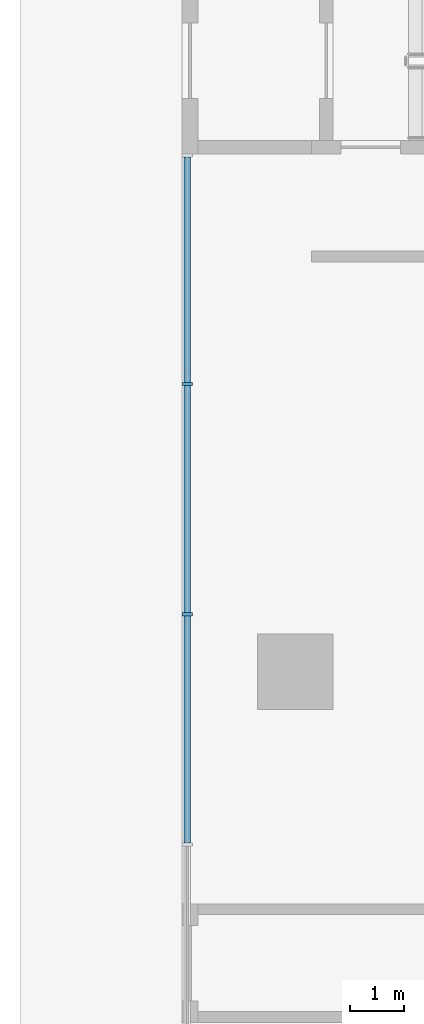
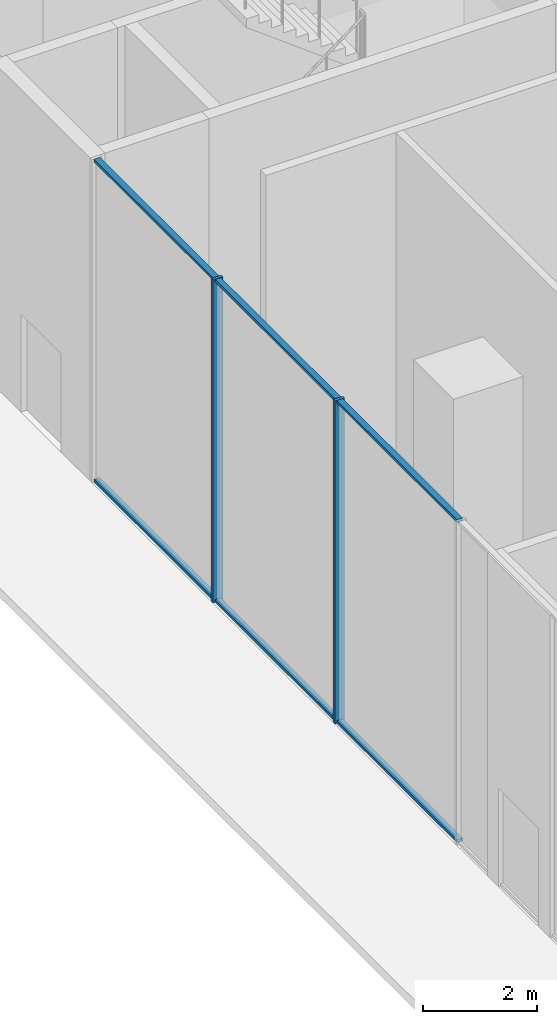
# One storey, part 3 of 26: 8 members, 1 element without a shape of its own.
"""IFC4 building model written with IfcOpenShell, lengths in metres."""

from ifc_helpers import new_model, si_unit, direction, frame, origin, origin_2d, place, context, subcontext, project, spatial, rectangle, extrude, source, transform, mapped, material, layer, layer_set, material_profile, profile_set, type_object, element, aggregate, save


model = new_model("IFC4")

# Units and contexts
model_context = context("Model", 3, precision=1e-05, world=origin(), true_north=direction((0.0, 1.0)))
body_context = subcontext(model_context, "Body", "Model", "MODEL_VIEW")
ifc_project = project(units=[si_unit("LENGTHUNIT", "METRE"), si_unit("AREAUNIT", "SQUARE_METRE"), si_unit("VOLUMEUNIT", "CUBIC_METRE"), si_unit("PLANEANGLEUNIT", "RADIAN"), si_unit("MASSUNIT", "GRAM", prefix="KILO")], contexts=[model_context])

# Site, building, storey
site_placement = place(None, origin())
site = spatial("IfcSite", under=ifc_project, at=site_placement, CompositionType="ELEMENT")
building_placement = place(site_placement, origin())
building = spatial("IfcBuilding", under=site, at=building_placement, Name="Aurelian Terraces", CompositionType="ELEMENT")
storey_placement = place(building_placement, origin())
storey = spatial("IfcBuildingStorey", under=building, at=storey_placement, Name="L00", CompositionType="ELEMENT", Elevation=0.0)

# Curtain wall, members
ifc_material_1 = material(Name="Anodised aluminium and clear glazing", Category="aluminium")
ifc_layer = layer(ifc_material_1, 0.2)
ifc_layer_set = layer_set([ifc_layer], Name="Podium shopfront curtain wall")
curtain_wall_type = type_object("IfcCurtainWallType", Name="Podium shopfront curtain wall", PredefinedType="NOTDEFINED", material=ifc_layer_set)
curtain_wall_placement = place(storey_placement, origin())
curtain_wall = element("IfcCurtainWall", 1, at=curtain_wall_placement, inside=storey, type_object=curtain_wall_type, Name="Podium shopfront L00 F06.8", PredefinedType="NOTDEFINED")
ifc_material_2 = material(Name="Anodised aluminium", Category="aluminium")
ifc_material_profile_1 = material_profile(ifc_material_2, rectangle(XDim=0.12, YDim=0.06, at=origin_2d()))
ifc_profile_set_1 = profile_set([ifc_material_profile_1], Name="Anodised aluminium")
member_type_1 = type_object("IfcMemberType", Name="Podium shopfront transom", PredefinedType="USERDEFINED", material=ifc_profile_set_1)
member_1_placement = place(storey_placement, frame((-2.0, 22.0367, 0.03), z_axis=(0.0, -1.0, 0.0), x_axis=(1.0, 0.0, 0.0)))
member_1 = element("IfcMember", 2, at=member_1_placement, type_object=member_type_1, Name="CW1 transom 3.1", ObjectType="TRANSOM", PredefinedType="USERDEFINED", context=body_context, shape_type="SweptSolid", body=[
    extrude(rectangle(XDim=0.12, YDim=0.06, at=origin_2d()), origin(), (0.0, 0.0, 1.0), 4.2067),
])
ifc_material_profile_2 = material_profile(ifc_material_2, rectangle(XDim=0.2, YDim=0.06, at=origin_2d()))
ifc_profile_set_2 = profile_set([ifc_material_profile_2], Name="Anodised aluminium")
member_type_2 = type_object("IfcMemberType", Name="Podium shopfront mullion", PredefinedType="MULLION", material=ifc_profile_set_2)
shared_shape_1 = source(origin(), body_context, "Body", "SweptSolid", [
    extrude(rectangle(XDim=0.2, YDim=0.06, at=origin_2d()), origin(), (0.0, 0.0, 1.0), 6.9),
])
member_2_placement = place(storey_placement, frame((-2.0, 26.3333, 0.0), z_axis=(0.0, 0.0, 1.0), x_axis=(1.0, 0.0, 0.0)))
member_2 = element("IfcMember", 3, at=member_2_placement, type_object=member_type_2, Name="CW1 mullion 2", PredefinedType="MULLION", context=body_context, shape_type="MappedRepresentation", body=[
    mapped(shared_shape_1, transform((0.0, 0.0, 0.0), scale=1.0)),
])
member_3_placement = place(storey_placement, frame((-2.0, 22.0667, 0.0), z_axis=(0.0, 0.0, 1.0), x_axis=(1.0, 0.0, 0.0)))
member_3 = element("IfcMember", 4, at=member_3_placement, type_object=member_type_2, Name="CW1 mullion 3", PredefinedType="MULLION", context=body_context, shape_type="MappedRepresentation", body=[
    mapped(shared_shape_1, transform((0.0, 0.0, 0.0), scale=1.0)),
])
shared_shape_2 = source(origin(), body_context, "Body", "SweptSolid", [
    extrude(rectangle(XDim=0.12, YDim=0.06, at=origin_2d()), origin(), (0.0, 0.0, 1.0), 4.1767),
])
member_4_placement = place(storey_placement, frame((-2.0, 30.54, 0.03), z_axis=(0.0, -1.0, 0.0), x_axis=(1.0, 0.0, 0.0)))
member_4 = element("IfcMember", 5, at=member_4_placement, type_object=member_type_1, Name="CW1 transom 1.1", ObjectType="TRANSOM", PredefinedType="USERDEFINED", context=body_context, shape_type="MappedRepresentation", body=[
    mapped(shared_shape_2, transform((0.0, 0.0, 0.0), scale=1.0)),
])
member_5_placement = place(storey_placement, frame((-2.0, 30.54, 6.87), z_axis=(0.0, -1.0, 0.0), x_axis=(1.0, 0.0, 0.0)))
member_5 = element("IfcMember", 6, at=member_5_placement, type_object=member_type_1, Name="CW1 transom 1.2", ObjectType="TRANSOM", PredefinedType="USERDEFINED", context=body_context, shape_type="MappedRepresentation", body=[
    mapped(shared_shape_2, transform((0.0, 0.0, 0.0), scale=1.0)),
])
shared_shape_3 = source(origin(), body_context, "Body", "SweptSolid", [
    extrude(rectangle(XDim=0.12, YDim=0.06, at=origin_2d()), origin(), (0.0, 0.0, 1.0), 4.2066),
])
member_6_placement = place(storey_placement, frame((-2.0, 26.3033, 0.03), z_axis=(0.0, -1.0, 0.0), x_axis=(1.0, 0.0, 0.0)))
member_6 = element("IfcMember", 7, at=member_6_placement, type_object=member_type_1, Name="CW1 transom 2.1", ObjectType="TRANSOM", PredefinedType="USERDEFINED", context=body_context, shape_type="MappedRepresentation", body=[
    mapped(shared_shape_3, transform((0.0, 0.0, 0.0), scale=1.0)),
])
member_7_placement = place(storey_placement, frame((-2.0, 26.3033, 6.87), z_axis=(0.0, -1.0, 0.0), x_axis=(1.0, 0.0, 0.0)))
member_7 = element("IfcMember", 8, at=member_7_placement, type_object=member_type_1, Name="CW1 transom 2.2", ObjectType="TRANSOM", PredefinedType="USERDEFINED", context=body_context, shape_type="MappedRepresentation", body=[
    mapped(shared_shape_3, transform((0.0, 0.0, 0.0), scale=1.0)),
])
shared_shape_4 = source(origin(), body_context, "Body", "SweptSolid", [
    extrude(rectangle(XDim=0.12, YDim=0.06, at=origin_2d()), origin(), (0.0, 0.0, 1.0), 4.2067),
])
member_8_placement = place(storey_placement, frame((-2.0, 22.0367, 6.87), z_axis=(0.0, -1.0, 0.0), x_axis=(1.0, 0.0, 0.0)))
member_8 = element("IfcMember", 9, at=member_8_placement, type_object=member_type_1, Name="CW1 transom 3.2", ObjectType="TRANSOM", PredefinedType="USERDEFINED", context=body_context, shape_type="MappedRepresentation", body=[
    mapped(shared_shape_4, transform((0.0, 0.0, 0.0), scale=1.0)),
])
aggregate(curtain_wall, [member_2, member_3, member_4, member_5, member_6, member_7, member_1, member_8])

save(model, "model.ifc")
